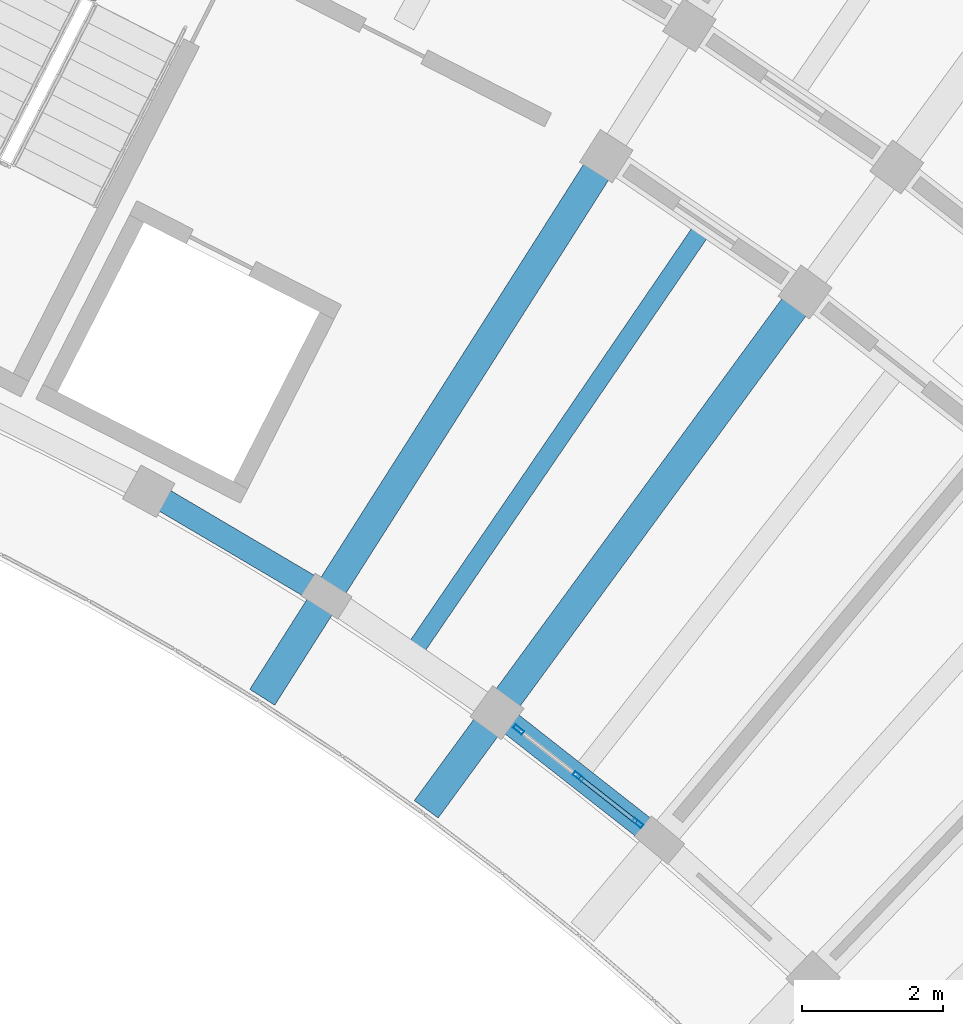
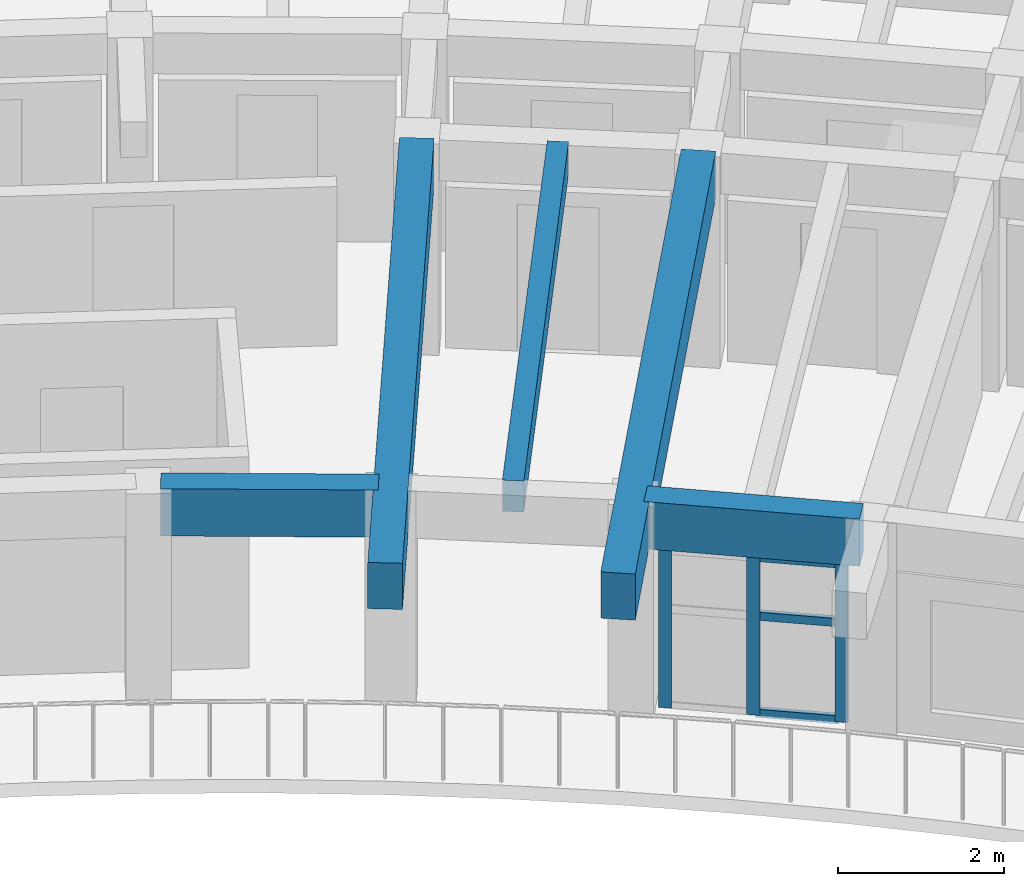
# One storey, part 25 of 81: 6 members, 5 beams, 1 element without a shape of its own.
"""IFC4 building model written with IfcOpenShell, lengths in metres."""

from ifc_helpers import new_model, si_unit, direction, frame, origin, origin_2d, place, context, subcontext, project, spatial, rectangle, hollow_rectangle, extrude, material, material_profile, profile_set, type_object, element, aggregate, save


model = new_model("IFC4")

# Units and contexts
model_context = context("Model", 3, precision=1e-05, world=origin(), true_north=direction((0.0, 1.0)))
body_context = subcontext(model_context, "Body", "Model", "MODEL_VIEW")
ifc_project = project(units=[si_unit("LENGTHUNIT", "METRE"), si_unit("AREAUNIT", "SQUARE_METRE"), si_unit("VOLUMEUNIT", "CUBIC_METRE"), si_unit("PLANEANGLEUNIT", "RADIAN"), si_unit("MASSUNIT", "GRAM", prefix="KILO")], contexts=[model_context])

# Site, building, storey
site_placement = place(None, origin())
site = spatial("IfcSite", under=ifc_project, at=site_placement, CompositionType="ELEMENT")
building_placement = place(site_placement, origin())
building = spatial("IfcBuilding", under=site, at=building_placement, Name="Tanwirah Colonnade Gardens", CompositionType="ELEMENT")
storey_placement = place(building_placement, frame((0.0, 0.0, 18.919921875)))
storey = spatial("IfcBuildingStorey", under=building, at=storey_placement, Name="L05", CompositionType="ELEMENT", Elevation=18.919921875)

# Beams
ifc_material_1 = material(Name="Precast concrete C45/55", Category="concrete")
ifc_material_profile_1 = material_profile(ifc_material_1, rectangle(XDim=0.419921875, YDim=0.679931640625, at=origin_2d()), Name="PC-BM 420x680")
ifc_profile_set_1 = profile_set([ifc_material_profile_1], Name="Precast concrete C45/55")
beam_type_1 = type_object("IfcBeamType", Name="BM-PC420", PredefinedType="BEAM", material=ifc_profile_set_1)
for number, where, z_axis, x_axis, name in (
    (1, (151.550537109375, 101.907958984375, 2.77001953125), (-0.590927205009, -0.806724883947, 0.0), (0.806724883947, -0.590927205009, 0.0), "Block B L05 Inner Radial Precast Girder 10"),
    (2, (148.736083984375, 103.830322265625, 2.77001953125), (-0.536483588607, -0.843910753075, 0.0), (0.843910753075, -0.536483588607, 0.0), "Block B L05 Inner Radial Precast Girder 11"),
):
    element("IfcBeam", number, at=place(storey_placement, frame(where, z_axis=z_axis, x_axis=x_axis)), inside=storey, type_object=beam_type_1, Name=name, PredefinedType="BEAM", context=body_context, shape_type="SweptSolid", body=[
        extrude(rectangle(XDim=0.419921875, YDim=0.679931640625, at=origin_2d()), origin(), (0.0, 0.0, 1.0), 8.949951171875),
    ])

# Curtain wall, members
ifc_material_2 = material(Name="Bronze-anodised aluminium and solar-control low-E glass", Category="aluminium")
curtain_wall_type = type_object("IfcCurtainWallType", Name="CW-GDN", PredefinedType="NOTDEFINED", material=ifc_material_2)
curtain_wall_placement = place(storey_placement, origin())
curtain_wall = element("IfcCurtainWall", 3, at=curtain_wall_placement, inside=storey, type_object=curtain_wall_type, Name="Curtain Wall CW-B-L05-IN-09", PredefinedType="NOTDEFINED")
ifc_material_3 = material(Name="Bronze-anodised aluminium", Category="aluminium")
ifc_material_profile_2 = material_profile(ifc_material_3, hollow_rectangle(XDim=0.06005859375, YDim=0.159912109375, WallThickness=0.00390625, at=origin_2d()), Name="CW-MUL 60x160x4")
ifc_profile_set_2 = profile_set([ifc_material_profile_2], Name="Bronze-anodised aluminium")
member_type_1 = type_object("IfcMemberType", Name="CWM-60x160", PredefinedType="MULLION", material=ifc_profile_set_2)
member_1_placement = place(storey_placement, frame((149.26513671875, 94.491455078125, 0.0), z_axis=(0.0, 0.0, 1.0), x_axis=(-0.617188542982, -0.786815291166, 0.0)))
member_1 = element("IfcMember", 4, at=member_1_placement, type_object=member_type_1, Name="CW-GDN mullion 1", PredefinedType="MULLION", context=body_context, shape_type="SweptSolid", body=[
    extrude(hollow_rectangle(XDim=0.06005859375, YDim=0.159912109375, WallThickness=0.00390625, at=origin_2d()), origin(), (0.0, 0.0, 1.0), 2.35498046875),
])
member_2_placement = place(storey_placement, frame((148.419189453125, 95.155029296875, 0.0), z_axis=(0.0, 0.0, 1.0), x_axis=(-0.617188542982, -0.786815291166, 0.0)))
member_2 = element("IfcMember", 5, at=member_2_placement, type_object=member_type_1, Name="CW-GDN mullion 2", PredefinedType="MULLION", context=body_context, shape_type="SweptSolid", body=[
    extrude(hollow_rectangle(XDim=0.06005859375, YDim=0.159912109375, WallThickness=0.00390625, at=origin_2d()), origin(), (0.0, 0.0, 1.0), 2.35498046875),
])
member_3_placement = place(storey_placement, frame((147.5732421875, 95.818603515625, 0.0), z_axis=(0.0, 0.0, 1.0), x_axis=(-0.617188542982, -0.786815291166, 0.0)))
member_3 = element("IfcMember", 6, at=member_3_placement, type_object=member_type_1, Name="CW-GDN mullion 3", PredefinedType="MULLION", context=body_context, shape_type="SweptSolid", body=[
    extrude(hollow_rectangle(XDim=0.06005859375, YDim=0.159912109375, WallThickness=0.00390625, at=origin_2d()), origin(), (0.0, 0.0, 1.0), 2.35498046875),
])
ifc_material_profile_3 = material_profile(ifc_material_3, hollow_rectangle(XDim=0.06005859375, YDim=0.1201171875, WallThickness=0.00390625, at=origin_2d()), Name="CW-TRN 60x120x4")
ifc_profile_set_3 = profile_set([ifc_material_profile_3], Name="Bronze-anodised aluminium")
member_type_2 = type_object("IfcMemberType", Name="CWT-60x120", PredefinedType="USERDEFINED", material=ifc_profile_set_3)
member_4_placement = place(storey_placement, frame((149.241455078125, 94.510009765625, 0.030029296875), z_axis=(-0.786885474084, 0.617099060666, 0.0), x_axis=(-0.617099060666, -0.786885474084, 0.0)))
member_4 = element("IfcMember", 7, at=member_4_placement, type_object=member_type_2, Name="CW-GDN transom 1.1", ObjectType="TRANSOM", PredefinedType="USERDEFINED", context=body_context, shape_type="SweptSolid", body=[
    extrude(hollow_rectangle(XDim=0.06005859375, YDim=0.1201171875, WallThickness=0.00390625, at=origin_2d()), origin(), (0.0, 0.0, 1.0), 1.01513671875),
])
member_5_placement = place(storey_placement, frame((149.241455078125, 94.510009765625, 1.460205078125), z_axis=(-0.786885474084, 0.617099060666, 0.0), x_axis=(-0.617099060666, -0.786885474084, 0.0)))
member_5 = element("IfcMember", 8, at=member_5_placement, type_object=member_type_2, Name="CW-GDN transom 1.2", ObjectType="TRANSOM", PredefinedType="USERDEFINED", context=body_context, shape_type="SweptSolid", body=[
    extrude(hollow_rectangle(XDim=0.06005859375, YDim=0.1201171875, WallThickness=0.00390625, at=origin_2d()), origin(), (0.0, 0.0, 1.0), 1.01513671875),
])
member_6_placement = place(storey_placement, frame((149.241455078125, 94.510009765625, 2.3251953125), z_axis=(-0.786885474084, 0.617099060666, 0.0), x_axis=(-0.617099060666, -0.786885474084, 0.0)))
member_6 = element("IfcMember", 9, at=member_6_placement, type_object=member_type_2, Name="CW-GDN transom 1.3", ObjectType="TRANSOM", PredefinedType="USERDEFINED", context=body_context, shape_type="SweptSolid", body=[
    extrude(hollow_rectangle(XDim=0.06005859375, YDim=0.1201171875, WallThickness=0.00390625, at=origin_2d()), origin(), (0.0, 0.0, 1.0), 1.01513671875),
])
aggregate(curtain_wall, [member_1, member_2, member_3, member_4, member_5, member_6])

# Beams
ifc_material_4 = material(Name="Precast concrete C40/50", Category="concrete")
ifc_material_profile_4 = material_profile(ifc_material_4, rectangle(XDim=0.260009765625, YDim=0.4599609375, at=origin_2d()), Name="PC-JST 260x460")
ifc_profile_set_4 = profile_set([ifc_material_profile_4], Name="Precast concrete C40/50")
beam_type_2 = type_object("IfcBeamType", Name="JST-PC260", PredefinedType="JOIST", material=ifc_profile_set_4)
beam_placement = place(storey_placement, frame((146.1376953125, 97.004638671875, 2.880126953125), z_axis=(0.564021195806, 0.825760310672, 0.0), x_axis=(-0.825760310672, 0.564021195806, 0.0)))
element("IfcBeam", 10, at=beam_placement, inside=storey, type_object=beam_type_2, Name="Block B L05 Inner Precast Floor Joist 10", PredefinedType="JOIST", context=body_context, shape_type="SweptSolid", body=[
    extrude(rectangle(XDim=0.260009765625, YDim=0.4599609375, at=origin_2d()), origin(), (0.0, 0.0, 1.0), 7.159912109375),
])
ifc_material_profile_5 = material_profile(ifc_material_4, rectangle(XDim=0.3349609375, YDim=0.695068359375, at=origin_2d()), Name="PC-SP 335x695")
ifc_profile_set_5 = profile_set([ifc_material_profile_5], Name="Precast concrete C40/50")
beam_type_3 = type_object("IfcBeamType", Name="SP-PC300", PredefinedType="SPANDREL", material=ifc_profile_set_5)
for number, where, z_axis, x_axis, name in (
    (11, (149.453857421875, 94.34326171875, 2.7626953125), (-0.786836625031, 0.617161344795, 0.0), (-0.617161344795, -0.786836625031, 0.0), "Block B L05 Circumferential Beam 9-R0"),
    (12, (144.717529296875, 97.7880859375, 2.7626953125), (-0.861148181788, 0.508354019363, 0.0), (-0.508354019363, -0.861148181788, 0.0), "Block B L05 Circumferential Beam 11-R0"),
):
    element("IfcBeam", number, at=place(storey_placement, frame(where, z_axis=z_axis, x_axis=x_axis)), inside=storey, type_object=beam_type_3, Name=name, PredefinedType="SPANDREL", context=body_context, shape_type="SweptSolid", body=[
        extrude(rectangle(XDim=0.3349609375, YDim=0.695068359375, at=origin_2d()), origin(), (0.0, 0.0, 1.0), 2.63037109375),
    ])

save(model, "model.ifc")
